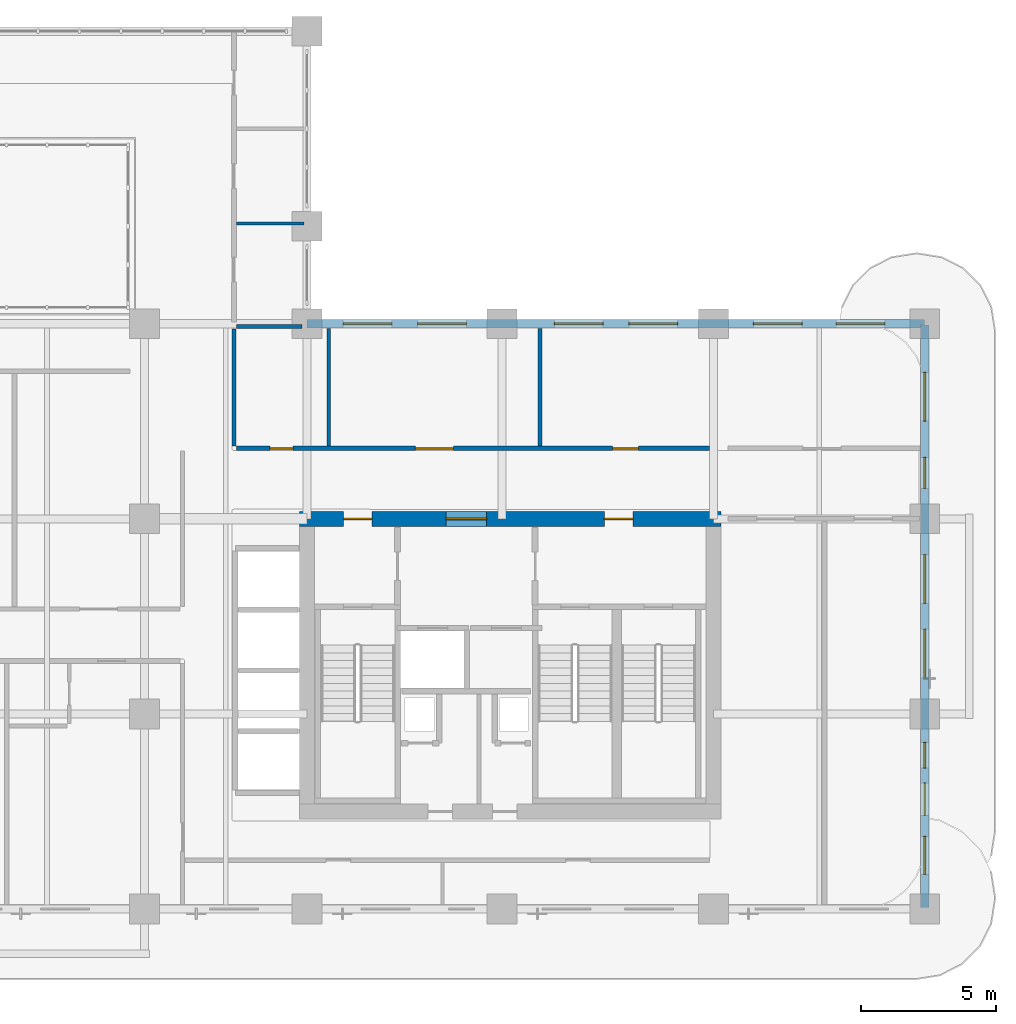
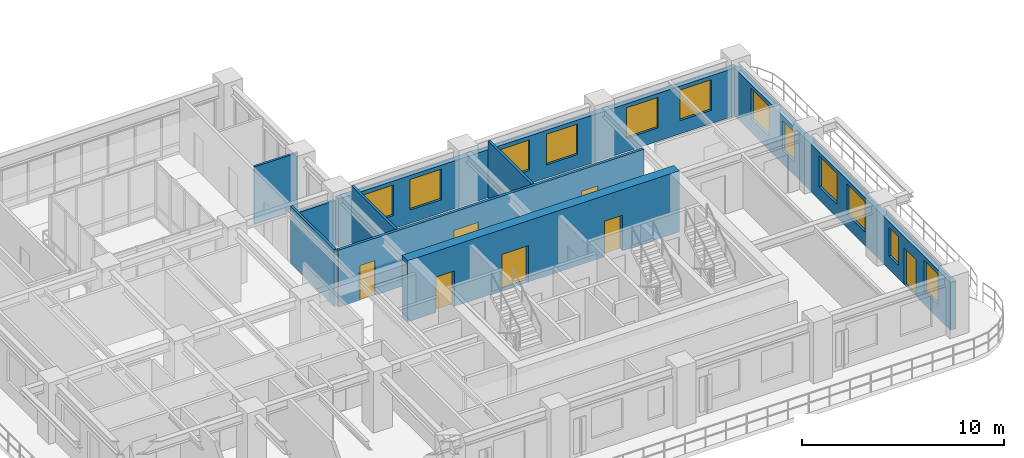
# One storey, part 15 of 22: 12 windows, 9 walls, 7 doors, 19 openings.
"""IFC4 building model written with IfcOpenShell, lengths in metres."""

from ifc_helpers import new_model, si_unit, derived_unit, direction, frame, frame_2d, origin, place, context, subcontext, project, spatial, rectangle, extrude, source, transform, mapped, material, layer, layer_set, type_object, type_shapes, element, fill, save


model = new_model("IFC4")

# Units and contexts
model_context = context("Model", 3, precision=1e-05, world=origin(), true_north=direction((0.0, 1.0)))
body_context = subcontext(model_context, "Body", "Model", "MODEL_VIEW")
ifc_project = project(units=[si_unit("LENGTHUNIT", "METRE"), si_unit("AREAUNIT", "SQUARE_METRE"), si_unit("VOLUMEUNIT", "CUBIC_METRE"), si_unit("PLANEANGLEUNIT", "RADIAN"), si_unit("MASSUNIT", "GRAM", prefix="KILO"), si_unit("THERMODYNAMICTEMPERATUREUNIT", "KELVIN"), si_unit("POWERUNIT", "WATT"), derived_unit("THERMALTRANSMITTANCEUNIT", [(si_unit("POWERUNIT", "WATT"), 1), (si_unit("AREAUNIT", "SQUARE_METRE"), -1), (si_unit("THERMODYNAMICTEMPERATUREUNIT", "KELVIN"), -1)])], contexts=[model_context])

# Site, building, storey
site_placement = place(None, origin())
site = spatial("IfcSite", under=ifc_project, at=site_placement, CompositionType="ELEMENT")
building_placement = place(site_placement, origin())
building = spatial("IfcBuilding", under=site, at=building_placement, Name="Zahravan Archway Hotel and Residences", CompositionType="ELEMENT")
storey_placement = place(building_placement, frame((0.0, 0.0, 99.0)))
storey = spatial("IfcBuildingStorey", under=building, at=storey_placement, Name="L24", CompositionType="ELEMENT", Elevation=99.0)

# Wall, openings, doors
ifc_material_1 = material(Name="Concrete C70/85", Category="concrete")
ifc_layer_1 = layer(ifc_material_1, 0.550048828125, Name="Concrete C70/85", Category="concrete")
ifc_layer_set_1 = layer_set([ifc_layer_1], Name="Concrete C70/85")
wall_type_1 = type_object("IfcWallType", Name="CW-CORE-550", PredefinedType="SHEAR", material=ifc_layer_set_1)
wall_1_placement = place(storey_placement, frame((34.52490234375, 14.39990234375, 0.0), z_axis=(0.0, 0.0, 1.0), x_axis=(1.0, 0.0, 0.0)))
wall_1 = element("IfcWall", 1, at=wall_1_placement, inside=storey, type_object=wall_type_1, Name="L24 Core A Shear N Wall 550 mm", PredefinedType="SHEAR", context=body_context, shape_type="SweptSolid", body=[
    extrude(rectangle(XDim=15.550048828125, YDim=0.550048828125, at=frame_2d((7.77490234375, 0.0))), origin(), (0.0, 0.0, 1.0), 3.699951171875),
])
opening_1_placement = place(wall_1_placement, frame((5.405029296875, 0.0, 0.0)))
opening_1 = element("IfcOpeningElement", 2, at=opening_1_placement, cuts=wall_1, Name="Opening FD-L1", PredefinedType="OPENING", context=body_context, shape_type="SweptSolid", body=[
    extrude(rectangle(XDim=1.5, YDim=2.199951171875, at=frame_2d((0.75, 1.10009765625))), frame((0.0, 0.28515625, 0.0), z_axis=(0.0, -1.0, 0.0), x_axis=(1.0, 0.0, 0.0)), (0.0, 0.0, 1.0), 0.570068359375),
])
opening_2_placement = place(wall_1_placement, frame((1.6201171875, 0.0, 0.0)))
opening_2 = element("IfcOpeningElement", 3, at=opening_2_placement, cuts=wall_1, Name="Opening FD-L2", PredefinedType="OPENING", context=body_context, shape_type="SweptSolid", body=[
    extrude(rectangle(XDim=1.050048828125, YDim=2.14990234375, at=frame_2d((0.52490234375, 1.074951171875))), frame((0.0, 0.28515625, 0.0), z_axis=(0.0, -1.0, 0.0), x_axis=(1.0, 0.0, 0.0)), (0.0, 0.0, 1.0), 0.570068359375),
])
opening_3_placement = place(wall_1_placement, frame((11.25, 0.0, 0.0)))
opening_3 = element("IfcOpeningElement", 4, at=opening_3_placement, cuts=wall_1, Name="Opening FD-L2", PredefinedType="OPENING", context=body_context, shape_type="SweptSolid", body=[
    extrude(rectangle(XDim=1.050048828125, YDim=2.14990234375, at=frame_2d((0.52490234375, 1.074951171875))), frame((0.0, 0.28515625, 0.0), z_axis=(0.0, -1.0, 0.0), x_axis=(1.0, 0.0, 0.0)), (0.0, 0.0, 1.0), 0.570068359375),
])
ifc_material_2 = material(Name="Fire-Rated Painted Steel", Category="steel")
door_type_1 = type_object("IfcDoorType", Name="FD-LOBBY-1100", OperationType="NOTDEFINED", PredefinedType="DOOR", material=ifc_material_2)
shared_shape_1 = source(origin(), body_context, "Body", "SweptSolid", [
    extrude(rectangle(XDim=1.050048828125, YDim=2.14990234375, at=frame_2d((0.52490234375, 1.074951171875))), frame((0.0, 0.02490234375, 0.0), z_axis=(0.0, -1.0, 0.0), x_axis=(1.0, 0.0, 0.0)), (0.0, 0.0, 1.0), 0.050048828125),
])
type_shapes(door_type_1, [shared_shape_1])
door_1_placement = place(opening_2_placement, origin())
door_1 = element("IfcDoor", 5, at=door_1_placement, inside=storey, type_object=door_type_1, Name="L24 Core A West Stair Lobby Door", OperationType="SINGLE_SWING_RIGHT", OverallHeight=2.14990234375, OverallWidth=1.050048828125, PredefinedType="DOOR", context=body_context, shape_type="MappedRepresentation", body=[
    mapped(shared_shape_1, transform((0.0, 0.0, 0.0), scale=1.0)),
])
fill(opening_2, door_1)
door_2_placement = place(opening_3_placement, origin())
door_2 = element("IfcDoor", 6, at=door_2_placement, inside=storey, type_object=door_type_1, Name="L24 Core A East Stair Lobby Door", OperationType="SINGLE_SWING_LEFT", OverallHeight=2.14990234375, OverallWidth=1.050048828125, PredefinedType="DOOR", context=body_context, shape_type="MappedRepresentation", body=[
    mapped(shared_shape_1, transform((0.0, 0.0, 0.0), scale=1.0)),
])
fill(opening_3, door_2)
door_type_2 = type_object("IfcDoorType", Name="FD-LOBBY-1500", OperationType="DOUBLE_DOOR_SINGLE_SWING", PredefinedType="DOOR", material=ifc_material_2)
shared_shape_2 = source(origin(), body_context, "Body", "SweptSolid", [
    extrude(rectangle(XDim=1.5, YDim=2.199951171875, at=frame_2d((0.75, 1.10009765625))), frame((0.0, 0.02490234375, 0.0), z_axis=(0.0, -1.0, 0.0), x_axis=(1.0, 0.0, 0.0)), (0.0, 0.0, 1.0), 0.050048828125),
])
type_shapes(door_type_2, [shared_shape_2])
door_3_placement = place(opening_1_placement, origin())
door_3 = element("IfcDoor", 7, at=door_3_placement, inside=storey, type_object=door_type_2, Name="L24 Core A FSAE Lobby Main Door", OperationType="DOUBLE_DOOR_SINGLE_SWING", OverallHeight=2.199951171875, OverallWidth=1.5, PredefinedType="DOOR", context=body_context, shape_type="MappedRepresentation", body=[
    mapped(shared_shape_2, transform((0.0, 0.0, 0.0), scale=1.0)),
])
fill(opening_1, door_3)

# Wall, openings, door, windows
ifc_material_3 = material(Name="Agra Buff Sandstone & Insulated Backup", Category="masonry")
ifc_layer_2 = layer(ifc_material_3, 0.320068359375, Name="Agra Buff Sandstone & Insulated Backup", Category="masonry")
ifc_layer_set_2 = layer_set([ifc_layer_2], Name="Agra Buff Sandstone & Insulated Backup")
wall_type_2 = type_object("IfcWallType", Name="EW-SAND-320", PredefinedType="SOLIDWALL", material=ifc_layer_set_2)
wall_2_placement = place(storey_placement, frame((57.60009765625, 0.050048828125, 0.0), z_axis=(0.0, 0.0, 1.0), x_axis=(0.0, 1.0, 0.0)))
wall_2 = element("IfcWall", 8, at=wall_2_placement, inside=storey, type_object=wall_type_2, Name="L24 Exterior Sandstone Wall WA-E", PredefinedType="SOLIDWALL", context=body_context, shape_type="SweptSolid", body=[
    extrude(rectangle(XDim=21.5, YDim=0.320068359375, at=frame_2d((10.75, 0.0))), origin(), (0.0, 0.0, 1.0), 2.885009765625),
])
opening_4_placement = place(wall_2_placement, frame((3.39990234375, 0.0, 0.0)))
opening_4 = element("IfcOpeningElement", 9, at=opening_4_placement, cuts=wall_2, Name="Opening ED-BL1", PredefinedType="OPENING", context=body_context, shape_type="SweptSolid", body=[
    extrude(rectangle(XDim=1.199951171875, YDim=2.199951171875, at=frame_2d((0.60009765625, 1.10009765625))), frame((0.0, 0.169921875, 0.0), z_axis=(0.0, -1.0, 0.0), x_axis=(1.0, 0.0, 0.0)), (0.0, 0.0, 1.0), 0.340087890625),
])
opening_5_placement = place(wall_2_placement, frame((1.22509765625, 0.0, 0.800048828125)))
opening_5 = element("IfcOpeningElement", 10, at=opening_5_placement, cuts=wall_2, Name="Opening W-03", PredefinedType="OPENING", context=body_context, shape_type="SweptSolid", body=[
    extrude(rectangle(XDim=1.39990234375, YDim=1.85009765625, at=frame_2d((0.699951171875, 0.925048828125))), frame((0.0, 0.169921875, 0.0), z_axis=(0.0, -1.0, 0.0), x_axis=(1.0, 0.0, 0.0)), (0.0, 0.0, 1.0), 0.340087890625),
])
opening_6_placement = place(wall_2_placement, frame((5.14990234375, 0.0, 0.800048828125)))
opening_6 = element("IfcOpeningElement", 11, at=opening_6_placement, cuts=wall_2, Name="Opening W-04", PredefinedType="OPENING", context=body_context, shape_type="SweptSolid", body=[
    extrude(rectangle(XDim=0.949951171875, YDim=1.75, at=frame_2d((0.47509765625, 0.875))), frame((0.0, 0.169921875, 0.0), z_axis=(0.0, -1.0, 0.0), x_axis=(1.0, 0.0, 0.0)), (0.0, 0.0, 1.0), 0.340087890625),
])
opening_7_placement = place(wall_2_placement, frame((8.47509765625, 0.0, 0.800048828125)))
opening_7 = element("IfcOpeningElement", 12, at=opening_7_placement, cuts=wall_2, Name="Opening W-02", PredefinedType="OPENING", context=body_context, shape_type="SweptSolid", body=[
    extrude(rectangle(XDim=1.800048828125, YDim=1.85009765625, at=frame_2d((0.89990234375, 0.925048828125))), frame((0.0, 0.169921875, 0.0), z_axis=(0.0, -1.0, 0.0), x_axis=(1.0, 0.0, 0.0)), (0.0, 0.0, 1.0), 0.340087890625),
])
opening_8_placement = place(wall_2_placement, frame((11.22509765625, 0.0, 0.800048828125)))
opening_8 = element("IfcOpeningElement", 13, at=opening_8_placement, cuts=wall_2, Name="Opening W-02", PredefinedType="OPENING", context=body_context, shape_type="SweptSolid", body=[
    extrude(rectangle(XDim=1.800048828125, YDim=1.85009765625, at=frame_2d((0.89990234375, 0.925048828125))), frame((0.0, 0.169921875, 0.0), z_axis=(0.0, -1.0, 0.0), x_axis=(1.0, 0.0, 0.0)), (0.0, 0.0, 1.0), 0.340087890625),
])
opening_9_placement = place(wall_2_placement, frame((15.470947265625, 0.0, 0.800048828125)))
opening_9 = element("IfcOpeningElement", 14, at=opening_9_placement, cuts=wall_2, Name="Opening W-05", PredefinedType="OPENING", context=body_context, shape_type="SweptSolid", body=[
    extrude(rectangle(XDim=1.14990234375, YDim=1.800048828125, at=frame_2d((0.574951171875, 0.89990234375))), frame((0.0, 0.169921875, 0.0), z_axis=(0.0, -1.0, 0.0), x_axis=(1.0, 0.0, 0.0)), (0.0, 0.0, 1.0), 0.340087890625),
])
opening_10_placement = place(wall_2_placement, frame((17.9541015625, 0.0, 0.800048828125)))
opening_10 = element("IfcOpeningElement", 15, at=opening_10_placement, cuts=wall_2, Name="Opening W-02", PredefinedType="OPENING", context=body_context, shape_type="SweptSolid", body=[
    extrude(rectangle(XDim=1.800048828125, YDim=1.85009765625, at=frame_2d((0.89990234375, 0.925048828125))), frame((0.0, 0.169921875, 0.0), z_axis=(0.0, -1.0, 0.0), x_axis=(1.0, 0.0, 0.0)), (0.0, 0.0, 1.0), 0.340087890625),
])
ifc_material_4 = material(Name="Bronze-Anodized Glazed Aluminium", Category="aluminium")
door_type_3 = type_object("IfcDoorType", Name="ED-BALC-1200", OperationType="SLIDING_TO_LEFT", PredefinedType="DOOR", material=ifc_material_4)
shared_shape_3 = source(origin(), body_context, "Body", "SweptSolid", [
    extrude(rectangle(XDim=1.199951171875, YDim=2.199951171875, at=frame_2d((0.60009765625, 1.10009765625))), frame((0.0, 0.02490234375, 0.0), z_axis=(0.0, -1.0, 0.0), x_axis=(1.0, 0.0, 0.0)), (0.0, 0.0, 1.0), 0.050048828125),
])
type_shapes(door_type_3, [shared_shape_3])
door_4_placement = place(opening_4_placement, origin())
door_4 = element("IfcDoor", 16, at=door_4_placement, inside=storey, type_object=door_type_3, Name="L24 Outdoor Access Sliding Door (SLB-BAL-L24-EA)", OperationType="SLIDING_TO_LEFT", OverallHeight=2.199951171875, OverallWidth=1.199951171875, PredefinedType="DOOR", context=body_context, shape_type="MappedRepresentation", body=[
    mapped(shared_shape_3, transform((0.0, 0.0, 0.0), scale=1.0)),
])
fill(opening_4, door_4)
ifc_material_5 = material(Name="Bronze-Anodized Thermal-Break Aluminium & Low-E Glass", Category="aluminium")
window_type_1 = type_object("IfcWindowType", Name="WIN-TWR-1400", PartitioningType="SINGLE_PANEL", PredefinedType="WINDOW", material=ifc_material_5)
shared_shape_4 = source(origin(), body_context, "Body", "SweptSolid", [
    extrude(rectangle(XDim=1.39990234375, YDim=1.85009765625, at=frame_2d((0.699951171875, 0.925048828125))), frame((0.0, 0.030029296875, 0.0), z_axis=(0.0, -1.0, 0.0), x_axis=(1.0, 0.0, 0.0)), (0.0, 0.0, 1.0), 0.06005859375),
])
type_shapes(window_type_1, [shared_shape_4])
window_1_placement = place(opening_5_placement, origin())
window_1 = element("IfcWindow", 17, at=window_1_placement, inside=storey, type_object=window_type_1, Name="L24 Loggia Window 12", OverallHeight=1.85009765625, OverallWidth=1.39990234375, PartitioningType="SINGLE_PANEL", PredefinedType="WINDOW", context=body_context, shape_type="MappedRepresentation", body=[
    mapped(shared_shape_4, transform((0.0, 0.0, 0.0), scale=1.0)),
])
fill(opening_5, window_1)
window_type_2 = type_object("IfcWindowType", Name="WIN-NAR-950", PartitioningType="SINGLE_PANEL", PredefinedType="WINDOW", material=ifc_material_5)
shared_shape_5 = source(origin(), body_context, "Body", "SweptSolid", [
    extrude(rectangle(XDim=0.949951171875, YDim=1.75, at=frame_2d((0.47509765625, 0.875))), frame((0.0, 0.030029296875, 0.0), z_axis=(0.0, -1.0, 0.0), x_axis=(1.0, 0.0, 0.0)), (0.0, 0.0, 1.0), 0.06005859375),
])
type_shapes(window_type_2, [shared_shape_5])
window_2_placement = place(opening_6_placement, origin())
window_2 = element("IfcWindow", 18, at=window_2_placement, inside=storey, type_object=window_type_2, Name="L24 Loggia Window 13", OverallHeight=1.75, OverallWidth=0.949951171875, PartitioningType="SINGLE_PANEL", PredefinedType="WINDOW", context=body_context, shape_type="MappedRepresentation", body=[
    mapped(shared_shape_5, transform((0.0, 0.0, 0.0), scale=1.0)),
])
fill(opening_6, window_2)
window_type_3 = type_object("IfcWindowType", Name="WIN-TWR-1800", PartitioningType="DOUBLE_PANEL_VERTICAL", PredefinedType="WINDOW", material=ifc_material_5)
shared_shape_6 = source(origin(), body_context, "Body", "SweptSolid", [
    extrude(rectangle(XDim=1.800048828125, YDim=1.85009765625, at=frame_2d((0.89990234375, 0.925048828125))), frame((0.0, 0.030029296875, 0.0), z_axis=(0.0, -1.0, 0.0), x_axis=(1.0, 0.0, 0.0)), (0.0, 0.0, 1.0), 0.06005859375),
])
type_shapes(window_type_3, [shared_shape_6])
window_3_placement = place(opening_7_placement, origin())
window_3 = element("IfcWindow", 19, at=window_3_placement, inside=storey, type_object=window_type_3, Name="L24 Loggia Window 14", OverallHeight=1.85009765625, OverallWidth=1.800048828125, PartitioningType="DOUBLE_PANEL_VERTICAL", PredefinedType="WINDOW", context=body_context, shape_type="MappedRepresentation", body=[
    mapped(shared_shape_6, transform((0.0, 0.0, 0.0), scale=1.0)),
])
fill(opening_7, window_3)
window_4_placement = place(opening_8_placement, origin())
window_4 = element("IfcWindow", 20, at=window_4_placement, inside=storey, type_object=window_type_3, Name="L24 Loggia Window 15", OverallHeight=1.85009765625, OverallWidth=1.800048828125, PartitioningType="DOUBLE_PANEL_VERTICAL", PredefinedType="WINDOW", context=body_context, shape_type="MappedRepresentation", body=[
    mapped(shared_shape_6, transform((0.0, 0.0, 0.0), scale=1.0)),
])
fill(opening_8, window_4)
window_5_placement = place(opening_10_placement, origin())
window_5 = element("IfcWindow", 21, at=window_5_placement, inside=storey, type_object=window_type_3, Name="L24 Loggia Window 17", OverallHeight=1.85009765625, OverallWidth=1.800048828125, PartitioningType="DOUBLE_PANEL_VERTICAL", PredefinedType="WINDOW", context=body_context, shape_type="MappedRepresentation", body=[
    mapped(shared_shape_6, transform((0.0, 0.0, 0.0), scale=1.0)),
])
fill(opening_10, window_5)
window_type_4 = type_object("IfcWindowType", Name="WIN-TWR-1150", PartitioningType="SINGLE_PANEL", PredefinedType="WINDOW", material=ifc_material_5)
shared_shape_7 = source(origin(), body_context, "Body", "SweptSolid", [
    extrude(rectangle(XDim=1.14990234375, YDim=1.800048828125, at=frame_2d((0.574951171875, 0.89990234375))), frame((0.0, 0.030029296875, 0.0), z_axis=(0.0, -1.0, 0.0), x_axis=(1.0, 0.0, 0.0)), (0.0, 0.0, 1.0), 0.06005859375),
])
type_shapes(window_type_4, [shared_shape_7])
window_6_placement = place(opening_9_placement, origin())
window_6 = element("IfcWindow", 22, at=window_6_placement, inside=storey, type_object=window_type_4, Name="L24 Loggia Window 16", OverallHeight=1.800048828125, OverallWidth=1.14990234375, PartitioningType="SINGLE_PANEL", PredefinedType="WINDOW", context=body_context, shape_type="MappedRepresentation", body=[
    mapped(shared_shape_7, transform((0.0, 0.0, 0.0), scale=1.0)),
])
fill(opening_9, window_6)

# Wall, openings, windows
wall_3_placement = place(storey_placement, frame((34.800048828125, 21.60009765625, 0.0), z_axis=(0.0, 0.0, 1.0), x_axis=(1.0, 0.0, 0.0)))
wall_3 = element("IfcWall", 23, at=wall_3_placement, inside=storey, type_object=wall_type_2, Name="L24 Exterior Sandstone Wall WA-NE", PredefinedType="SOLIDWALL", context=body_context, shape_type="SweptSolid", body=[
    extrude(rectangle(XDim=22.800048828125, YDim=0.320068359375, at=frame_2d((11.39990234375, 0.0))), origin(), (0.0, 0.0, 1.0), 2.885009765625),
])
opening_11_placement = place(wall_3_placement, frame((1.3310546875, 0.0, 0.800048828125)))
opening_11 = element("IfcOpeningElement", 24, at=opening_11_placement, cuts=wall_3, Name="Opening W-02", PredefinedType="OPENING", context=body_context, shape_type="SweptSolid", body=[
    extrude(rectangle(XDim=1.800048828125, YDim=1.85009765625, at=frame_2d((0.89990234375, 0.925048828125))), frame((0.0, 0.169921875, 0.0), z_axis=(0.0, -1.0, 0.0), x_axis=(1.0, 0.0, 0.0)), (0.0, 0.0, 1.0), 0.340087890625),
])
opening_12_placement = place(wall_3_placement, frame((4.076904296875, 0.0, 0.800048828125)))
opening_12 = element("IfcOpeningElement", 25, at=opening_12_placement, cuts=wall_3, Name="Opening W-02", PredefinedType="OPENING", context=body_context, shape_type="SweptSolid", body=[
    extrude(rectangle(XDim=1.800048828125, YDim=1.85009765625, at=frame_2d((0.89990234375, 0.925048828125))), frame((0.0, 0.169921875, 0.0), z_axis=(0.0, -1.0, 0.0), x_axis=(1.0, 0.0, 0.0)), (0.0, 0.0, 1.0), 0.340087890625),
])
opening_13_placement = place(wall_3_placement, frame((9.131103515625, 0.0, 0.800048828125)))
opening_13 = element("IfcOpeningElement", 26, at=opening_13_placement, cuts=wall_3, Name="Opening W-02", PredefinedType="OPENING", context=body_context, shape_type="SweptSolid", body=[
    extrude(rectangle(XDim=1.800048828125, YDim=1.85009765625, at=frame_2d((0.89990234375, 0.925048828125))), frame((0.0, 0.169921875, 0.0), z_axis=(0.0, -1.0, 0.0), x_axis=(1.0, 0.0, 0.0)), (0.0, 0.0, 1.0), 0.340087890625),
])
opening_14_placement = place(wall_3_placement, frame((11.876953125, 0.0, 0.800048828125)))
opening_14 = element("IfcOpeningElement", 27, at=opening_14_placement, cuts=wall_3, Name="Opening W-02", PredefinedType="OPENING", context=body_context, shape_type="SweptSolid", body=[
    extrude(rectangle(XDim=1.800048828125, YDim=1.85009765625, at=frame_2d((0.89990234375, 0.925048828125))), frame((0.0, 0.169921875, 0.0), z_axis=(0.0, -1.0, 0.0), x_axis=(1.0, 0.0, 0.0)), (0.0, 0.0, 1.0), 0.340087890625),
])
opening_15_placement = place(wall_3_placement, frame((16.47509765625, 0.0, 0.800048828125)))
opening_15 = element("IfcOpeningElement", 28, at=opening_15_placement, cuts=wall_3, Name="Opening W-02", PredefinedType="OPENING", context=body_context, shape_type="SweptSolid", body=[
    extrude(rectangle(XDim=1.800048828125, YDim=1.85009765625, at=frame_2d((0.89990234375, 0.925048828125))), frame((0.0, 0.169921875, 0.0), z_axis=(0.0, -1.0, 0.0), x_axis=(1.0, 0.0, 0.0)), (0.0, 0.0, 1.0), 0.340087890625),
])
opening_16_placement = place(wall_3_placement, frame((19.52490234375, 0.0, 0.800048828125)))
opening_16 = element("IfcOpeningElement", 29, at=opening_16_placement, cuts=wall_3, Name="Opening W-02", PredefinedType="OPENING", context=body_context, shape_type="SweptSolid", body=[
    extrude(rectangle(XDim=1.800048828125, YDim=1.85009765625, at=frame_2d((0.89990234375, 0.925048828125))), frame((0.0, 0.169921875, 0.0), z_axis=(0.0, -1.0, 0.0), x_axis=(1.0, 0.0, 0.0)), (0.0, 0.0, 1.0), 0.340087890625),
])
window_7_placement = place(opening_11_placement, origin())
window_7 = element("IfcWindow", 30, at=window_7_placement, inside=storey, type_object=window_type_3, Name="L24 Loggia Window 18", OverallHeight=1.85009765625, OverallWidth=1.800048828125, PartitioningType="DOUBLE_PANEL_VERTICAL", PredefinedType="WINDOW", context=body_context, shape_type="MappedRepresentation", body=[
    mapped(shared_shape_6, transform((0.0, 0.0, 0.0), scale=1.0)),
])
fill(opening_11, window_7)
window_8_placement = place(opening_12_placement, origin())
window_8 = element("IfcWindow", 31, at=window_8_placement, inside=storey, type_object=window_type_3, Name="L24 Loggia Window 19", OverallHeight=1.85009765625, OverallWidth=1.800048828125, PartitioningType="DOUBLE_PANEL_VERTICAL", PredefinedType="WINDOW", context=body_context, shape_type="MappedRepresentation", body=[
    mapped(shared_shape_6, transform((0.0, 0.0, 0.0), scale=1.0)),
])
fill(opening_12, window_8)
window_9_placement = place(opening_13_placement, origin())
window_9 = element("IfcWindow", 32, at=window_9_placement, inside=storey, type_object=window_type_3, Name="L24 Loggia Window 20", OverallHeight=1.85009765625, OverallWidth=1.800048828125, PartitioningType="DOUBLE_PANEL_VERTICAL", PredefinedType="WINDOW", context=body_context, shape_type="MappedRepresentation", body=[
    mapped(shared_shape_6, transform((0.0, 0.0, 0.0), scale=1.0)),
])
fill(opening_13, window_9)
window_10_placement = place(opening_14_placement, origin())
window_10 = element("IfcWindow", 33, at=window_10_placement, inside=storey, type_object=window_type_3, Name="L24 Loggia Window 21", OverallHeight=1.85009765625, OverallWidth=1.800048828125, PartitioningType="DOUBLE_PANEL_VERTICAL", PredefinedType="WINDOW", context=body_context, shape_type="MappedRepresentation", body=[
    mapped(shared_shape_6, transform((0.0, 0.0, 0.0), scale=1.0)),
])
fill(opening_14, window_10)
window_11_placement = place(opening_15_placement, origin())
window_11 = element("IfcWindow", 34, at=window_11_placement, inside=storey, type_object=window_type_3, Name="L24 Loggia Window 22", OverallHeight=1.85009765625, OverallWidth=1.800048828125, PartitioningType="DOUBLE_PANEL_VERTICAL", PredefinedType="WINDOW", context=body_context, shape_type="MappedRepresentation", body=[
    mapped(shared_shape_6, transform((0.0, 0.0, 0.0), scale=1.0)),
])
fill(opening_15, window_11)
window_12_placement = place(opening_16_placement, origin())
window_12 = element("IfcWindow", 35, at=window_12_placement, inside=storey, type_object=window_type_3, Name="L24 Loggia Window 23", OverallHeight=1.85009765625, OverallWidth=1.800048828125, PartitioningType="DOUBLE_PANEL_VERTICAL", PredefinedType="WINDOW", context=body_context, shape_type="MappedRepresentation", body=[
    mapped(shared_shape_6, transform((0.0, 0.0, 0.0), scale=1.0)),
])
fill(opening_16, window_12)

# Wall, openings, doors
ifc_material_6 = material(Name="Fire-Rated Gypsum & Concrete Block", Category="concrete")
ifc_layer_3 = layer(ifc_material_6, 0.159912109375, Name="Fire-Rated Gypsum & Concrete Block", Category="concrete")
ifc_layer_set_3 = layer_set([ifc_layer_3], Name="Fire-Rated Gypsum & Concrete Block")
wall_type_3 = type_object("IfcWallType", Name="PW-CORR-160", PredefinedType="PARTITIONING", material=ifc_layer_set_3)
wall_4_placement = place(storey_placement, frame((32.18994140625, 17.0, 0.0), z_axis=(0.0, 0.0, 1.0), x_axis=(1.0, 0.0, 0.0)))
wall_4 = element("IfcWall", 36, at=wall_4_placement, inside=storey, type_object=wall_type_3, Name="L24 Partition WA-FN", PredefinedType="PARTITIONING", context=body_context, shape_type="SweptSolid", body=[
    extrude(rectangle(XDim=17.469970703125, YDim=0.159912109375, at=frame_2d((8.73486328125, 0.0))), origin(), (0.0, 0.0, 1.0), 3.449951171875),
])
opening_17_placement = place(wall_4_placement, frame((1.235107421875, 0.0, 0.0)))
opening_17 = element("IfcOpeningElement", 37, at=opening_17_placement, cuts=wall_4, Name="Opening D-B1", PredefinedType="OPENING", context=body_context, shape_type="SweptSolid", body=[
    extrude(rectangle(XDim=0.85009765625, YDim=2.10009765625, at=frame_2d((0.425048828125, 1.050048828125))), frame((0.0, 0.08984375, 0.0), z_axis=(0.0, -1.0, 0.0), x_axis=(1.0, 0.0, 0.0)), (0.0, 0.0, 1.0), 0.179931640625),
])
opening_18_placement = place(wall_4_placement, frame((6.610107421875, 0.0, 0.0)))
opening_18 = element("IfcOpeningElement", 38, at=opening_18_placement, cuts=wall_4, Name="Opening D-P1", PredefinedType="OPENING", context=body_context, shape_type="SweptSolid", body=[
    extrude(rectangle(XDim=1.39990234375, YDim=2.35009765625, at=frame_2d((0.699951171875, 1.175048828125))), frame((0.0, 0.08984375, 0.0), z_axis=(0.0, -1.0, 0.0), x_axis=(1.0, 0.0, 0.0)), (0.0, 0.0, 1.0), 0.179931640625),
])
opening_19_placement = place(wall_4_placement, frame((13.885009765625, 0.0, 0.0)))
opening_19 = element("IfcOpeningElement", 39, at=opening_19_placement, cuts=wall_4, Name="Opening D-I1", PredefinedType="OPENING", context=body_context, shape_type="SweptSolid", body=[
    extrude(rectangle(XDim=0.949951171875, YDim=2.14990234375, at=frame_2d((0.47509765625, 1.074951171875))), frame((0.0, 0.08984375, 0.0), z_axis=(0.0, -1.0, 0.0), x_axis=(1.0, 0.0, 0.0)), (0.0, 0.0, 1.0), 0.179931640625),
])
ifc_material_7 = material(Name="Hardwood Veneer Timber", Category="wood")
door_type_4 = type_object("IfcDoorType", Name="ID-BATH-850", OperationType="NOTDEFINED", PredefinedType="DOOR", material=ifc_material_7)
shared_shape_8 = source(origin(), body_context, "Body", "SweptSolid", [
    extrude(rectangle(XDim=0.85009765625, YDim=2.10009765625, at=frame_2d((0.425048828125, 1.050048828125))), frame((0.0, 0.02490234375, 0.0), z_axis=(0.0, -1.0, 0.0), x_axis=(1.0, 0.0, 0.0)), (0.0, 0.0, 1.0), 0.050048828125),
])
type_shapes(door_type_4, [shared_shape_8])
door_5_placement = place(opening_17_placement, origin())
door_5 = element("IfcDoor", 40, at=door_5_placement, inside=storey, type_object=door_type_4, Name="L24 Accessible WC Door", OperationType="SINGLE_SWING_RIGHT", OverallHeight=2.10009765625, OverallWidth=0.85009765625, PredefinedType="DOOR", context=body_context, shape_type="MappedRepresentation", body=[
    mapped(shared_shape_8, transform((0.0, 0.0, 0.0), scale=1.0)),
])
fill(opening_17, door_5)
door_type_5 = type_object("IfcDoorType", Name="ID-PUBLIC-1400", OperationType="DOUBLE_DOOR_SINGLE_SWING", PredefinedType="DOOR", material=ifc_material_4)
shared_shape_9 = source(origin(), body_context, "Body", "SweptSolid", [
    extrude(rectangle(XDim=1.39990234375, YDim=2.35009765625, at=frame_2d((0.699951171875, 1.175048828125))), frame((0.0, 0.02490234375, 0.0), z_axis=(0.0, -1.0, 0.0), x_axis=(1.0, 0.0, 0.0)), (0.0, 0.0, 1.0), 0.050048828125),
])
type_shapes(door_type_5, [shared_shape_9])
door_6_placement = place(opening_18_placement, origin())
door_6 = element("IfcDoor", 41, at=door_6_placement, inside=storey, type_object=door_type_5, Name="L24 Private Dining Door", OperationType="DOUBLE_DOOR_SINGLE_SWING", OverallHeight=2.35009765625, OverallWidth=1.39990234375, PredefinedType="DOOR", context=body_context, shape_type="MappedRepresentation", body=[
    mapped(shared_shape_9, transform((0.0, 0.0, 0.0), scale=1.0)),
])
fill(opening_18, door_6)
door_type_6 = type_object("IfcDoorType", Name="ID-INT-950", OperationType="NOTDEFINED", PredefinedType="DOOR", material=ifc_material_7)
shared_shape_10 = source(origin(), body_context, "Body", "SweptSolid", [
    extrude(rectangle(XDim=0.949951171875, YDim=2.14990234375, at=frame_2d((0.47509765625, 1.074951171875))), frame((0.0, 0.02490234375, 0.0), z_axis=(0.0, -1.0, 0.0), x_axis=(1.0, 0.0, 0.0)), (0.0, 0.0, 1.0), 0.050048828125),
])
type_shapes(door_type_6, [shared_shape_10])
door_7_placement = place(opening_19_placement, origin())
door_7 = element("IfcDoor", 42, at=door_7_placement, inside=storey, type_object=door_type_6, Name="L24 Quiet Musalla Door", OperationType="SINGLE_SWING_LEFT", OverallHeight=2.14990234375, OverallWidth=0.949951171875, PredefinedType="DOOR", context=body_context, shape_type="MappedRepresentation", body=[
    mapped(shared_shape_10, transform((0.0, 0.0, 0.0), scale=1.0)),
])
fill(opening_19, door_7)

# Walls
ifc_material_8 = material(Name="Acoustic Stud Partition")
ifc_layer_4 = layer(ifc_material_8, 0.125, Name="Acoustic Stud Partition")
ifc_layer_set_4 = layer_set([ifc_layer_4], Name="Acoustic Stud Partition")
wall_type_4 = type_object("IfcWallType", Name="PW-INT-125", PredefinedType="PARTITIONING", material=ifc_layer_set_4)
wall_5_placement = place(storey_placement, frame((32.18994140625, 25.300048828125, 0.0), z_axis=(0.0, 0.0, 1.0), x_axis=(1.0, 0.0, 0.0)))
element("IfcWall", 43, at=wall_5_placement, inside=storey, type_object=wall_type_4, Name="L24 Partition ATR-EM3A", PredefinedType="PARTITIONING", context=body_context, shape_type="SweptSolid", body=[
    extrude(rectangle(XDim=2.5, YDim=0.125, at=frame_2d((1.25, 0.0))), origin(), (0.0, 0.0, 1.0), 3.449951171875),
])
ifc_material_9 = material(Name="Moisture-Resistant Blockwork", Category="masonry")
ifc_layer_5 = layer(ifc_material_9, 0.139892578125, Name="Moisture-Resistant Blockwork", Category="masonry")
ifc_layer_set_5 = layer_set([ifc_layer_5], Name="Moisture-Resistant Blockwork")
wall_type_5 = type_object("IfcWallType", Name="PW-WET-140", PredefinedType="PARTITIONING", material=ifc_layer_set_5)
wall_6_placement = place(storey_placement, frame((32.10009765625, 17.090087890625, 0.0), z_axis=(0.0, 0.0, 1.0), x_axis=(0.0, 1.0, 0.0)))
element("IfcWall", 44, at=wall_6_placement, inside=storey, type_object=wall_type_5, Name="L24 Partition NE-W0", PredefinedType="PARTITIONING", context=body_context, shape_type="SweptSolid", body=[
    extrude(rectangle(XDim=4.31982421875, YDim=0.139892578125, at=frame_2d((2.159912109375, 0.0))), origin(), (0.0, 0.0, 1.0), 3.449951171875),
])
for number, where, z_axis, x_axis, name in (
    (45, (35.60009765625, 17.090087890625, 0.0), (0.0, 0.0, 1.0), (0.0, 1.0, 0.0), "L24 Partition NE3-1"),
    (46, (43.39990234375, 17.090087890625, 0.0), (0.0, 0.0, 1.0), (0.0, 1.0, 0.0), "L24 Partition NE3-2"),
):
    element("IfcWall", number, at=place(storey_placement, frame(where, z_axis=z_axis, x_axis=x_axis)), inside=storey, type_object=wall_type_5, Name=name, PredefinedType="PARTITIONING", context=body_context, shape_type="SweptSolid", body=[
        extrude(rectangle(XDim=4.341796875, YDim=0.139892578125, at=frame_2d((2.1708984375, 0.0))), origin(), (0.0, 0.0, 1.0), 3.449951171875),
    ])
wall_7_placement = place(storey_placement, frame((32.18994140625, 21.5, 0.0), z_axis=(0.0, 0.0, 1.0), x_axis=(1.0, 0.0, 0.0)))
element("IfcWall", 47, at=wall_7_placement, inside=storey, type_object=wall_type_5, Name="L24 Partition ATR-ES", PredefinedType="PARTITIONING", context=body_context, shape_type="SweptSolid", body=[
    extrude(rectangle(XDim=2.420166015625, YDim=0.139892578125, at=frame_2d((1.2099609375, 0.0))), origin(), (0.0, 0.0, 1.0), 2.885009765625),
])

save(model, "model.ifc")
